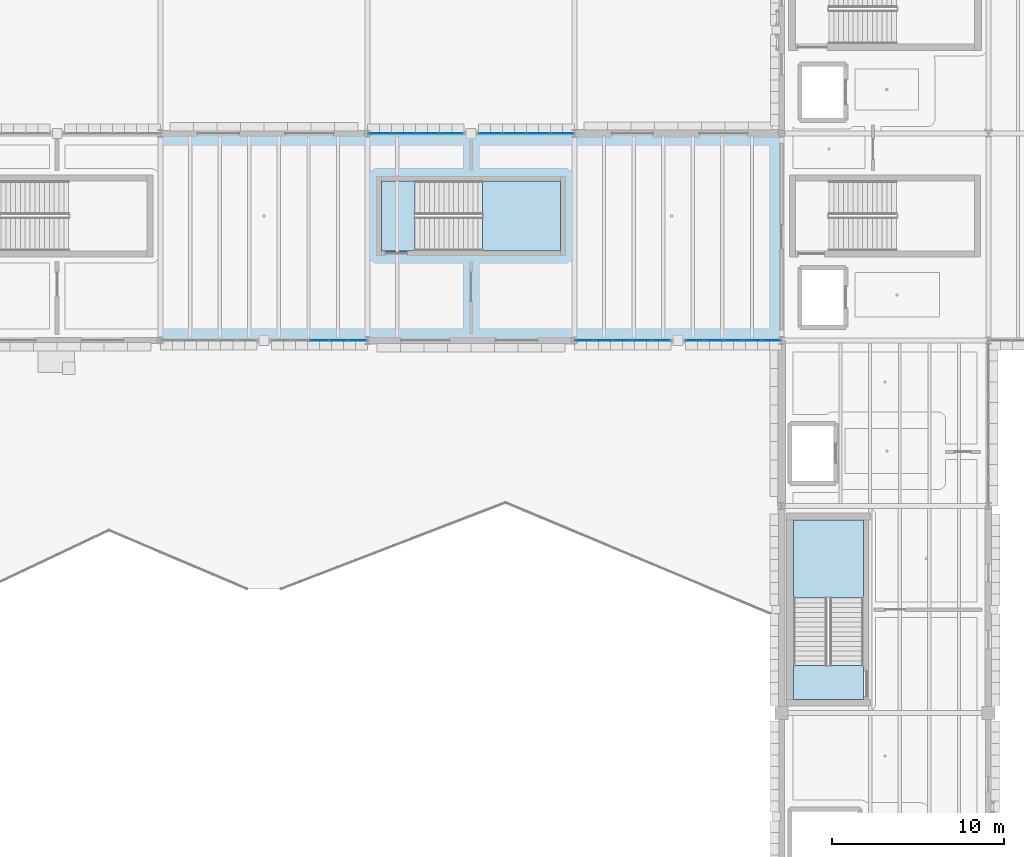
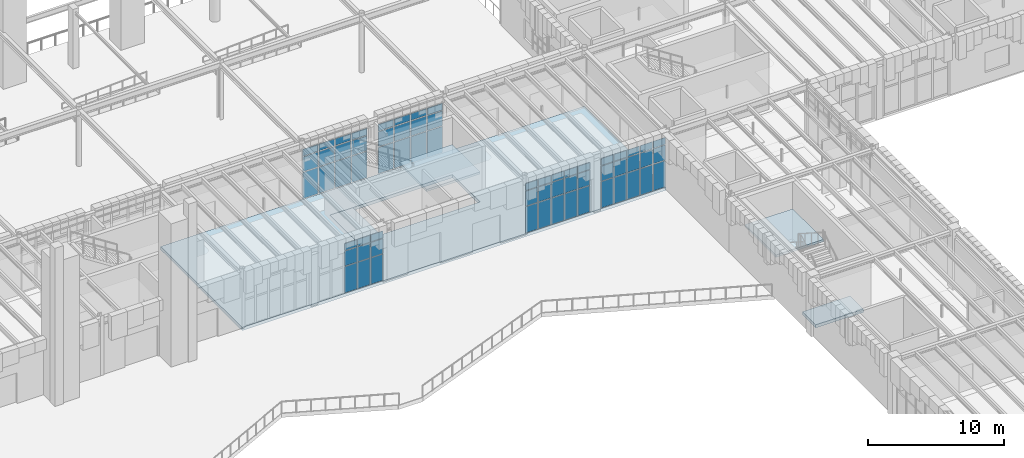
# One storey, part 46 of 103: 63 plates, 5 slabs, 7 elements without a shape of their own.
"""IFC4 building model written with IfcOpenShell, lengths in metres."""

from ifc_helpers import new_model, si_unit, direction, frame, origin, origin_2d, place, context, subcontext, project, spatial, polyline, rectangle, outline, extrude, material, layer, layer_set, type_object, element, aggregate, save


model = new_model("IFC4")

# Units and contexts
model_context = context("Model", 3, precision=1e-05, world=origin(), true_north=direction((0.0, 1.0)))
body_context = subcontext(model_context, "Body", "Model", "MODEL_VIEW")
ifc_project = project(units=[si_unit("LENGTHUNIT", "METRE"), si_unit("AREAUNIT", "SQUARE_METRE"), si_unit("VOLUMEUNIT", "CUBIC_METRE"), si_unit("PLANEANGLEUNIT", "RADIAN"), si_unit("MASSUNIT", "GRAM", prefix="KILO")], contexts=[model_context])

# Site, building, storey
site_placement = place(None, origin())
site = spatial("IfcSite", under=ifc_project, at=site_placement, CompositionType="ELEMENT")
building_placement = place(site_placement, origin())
building = spatial("IfcBuilding", under=site, at=building_placement, Name="Zlatogorsky Bluff Art Gallery", CompositionType="ELEMENT")
storey_placement = place(building_placement, origin())
storey = spatial("IfcBuildingStorey", under=building, at=storey_placement, Name="L00", CompositionType="ELEMENT", Elevation=0.0)

# Curtain wall, plates
ifc_material_1 = material(Name="Anodised Bronze Aluminium and Low-Iron Triple Glazing", Category="aluminium")
ifc_layer_1 = layer(ifc_material_1, 0.179931640625)
ifc_layer_set_1 = layer_set([ifc_layer_1], Name="Curtain Wall CW-03")
curtain_wall_type_1 = type_object("IfcCurtainWallType", Name="Curtain Wall CW-03", PredefinedType="USERDEFINED", material=ifc_layer_set_1)
curtain_wall_1_placement = place(storey_placement, origin())
curtain_wall_1 = element("IfcCurtainWall", 1, at=curtain_wall_1_placement, inside=storey, type_object=curtain_wall_type_1, Name="Unitised curtain wall CW-03 L00 S 7.8-B", ObjectType="CURTAIN WALL", PredefinedType="USERDEFINED")
ifc_material_2 = material(Name="Low-Iron Laminated Triple Glazing", Category="glass")
ifc_layer_2 = layer(ifc_material_2, 0.035888671875)
ifc_layer_set_2 = layer_set([ifc_layer_2], Name="Glazed Curtain Panel CWP-01")
plate_type = type_object("IfcPlateType", Name="Glazed Curtain Panel CWP-01", PredefinedType="CURTAIN_PANEL", material=ifc_layer_set_2)
plate_1_placement = place(storey_placement, frame((93.2099609375, 84.0, 0.06494140625), z_axis=(0.0, 0.0, 1.0), x_axis=(1.0, 0.0, 0.0)))
plate_1 = element("IfcPlate", 2, at=plate_1_placement, type_object=plate_type, Name="CW-03 panel 3.1", PredefinedType="CURTAIN_PANEL", context=body_context, shape_type="SweptSolid", body=[
    extrude(rectangle(XDim=1.051025390625, YDim=0.035888671875, at=origin_2d()), origin(), (0.0, 0.0, 1.0), 2.3525390625),
])
plate_2_placement = place(storey_placement, frame((93.2099609375, 84.0, 2.482421875), z_axis=(0.0, 0.0, 1.0), x_axis=(1.0, 0.0, 0.0)))
plate_2 = element("IfcPlate", 3, at=plate_2_placement, type_object=plate_type, Name="CW-03 panel 3.2", PredefinedType="CURTAIN_PANEL", context=body_context, shape_type="SweptSolid", body=[
    extrude(rectangle(XDim=1.051025390625, YDim=0.035888671875, at=origin_2d()), origin(), (0.0, 0.0, 1.0), 1.3349609375),
])
plate_3_placement = place(storey_placement, frame((93.2099609375, 84.0, 3.88232421875), z_axis=(0.0, 0.0, 1.0), x_axis=(1.0, 0.0, 0.0)))
plate_3 = element("IfcPlate", 4, at=plate_3_placement, type_object=plate_type, Name="CW-03 panel 3.3", PredefinedType="CURTAIN_PANEL", context=body_context, shape_type="SweptSolid", body=[
    extrude(rectangle(XDim=1.051025390625, YDim=0.035888671875, at=origin_2d()), origin(), (0.0, 0.0, 1.0), 0.612548828125),
])
plate_4_placement = place(storey_placement, frame((94.325927734375, 84.0, 0.06494140625), z_axis=(0.0, 0.0, 1.0), x_axis=(1.0, 0.0, 0.0)))
plate_4 = element("IfcPlate", 5, at=plate_4_placement, type_object=plate_type, Name="CW-03 panel 4.1", PredefinedType="CURTAIN_PANEL", context=body_context, shape_type="SweptSolid", body=[
    extrude(rectangle(XDim=1.051025390625, YDim=0.035888671875, at=origin_2d()), origin(), (0.0, 0.0, 1.0), 2.3525390625),
])
plate_5_placement = place(storey_placement, frame((94.325927734375, 84.0, 2.482421875), z_axis=(0.0, 0.0, 1.0), x_axis=(1.0, 0.0, 0.0)))
plate_5 = element("IfcPlate", 6, at=plate_5_placement, type_object=plate_type, Name="CW-03 panel 4.2", PredefinedType="CURTAIN_PANEL", context=body_context, shape_type="SweptSolid", body=[
    extrude(rectangle(XDim=1.051025390625, YDim=0.035888671875, at=origin_2d()), origin(), (0.0, 0.0, 1.0), 1.3349609375),
])
plate_6_placement = place(storey_placement, frame((94.325927734375, 84.0, 3.88232421875), z_axis=(0.0, 0.0, 1.0), x_axis=(1.0, 0.0, 0.0)))
plate_6 = element("IfcPlate", 7, at=plate_6_placement, type_object=plate_type, Name="CW-03 panel 4.3", PredefinedType="CURTAIN_PANEL", context=body_context, shape_type="SweptSolid", body=[
    extrude(rectangle(XDim=1.051025390625, YDim=0.035888671875, at=origin_2d()), origin(), (0.0, 0.0, 1.0), 0.612548828125),
])
plate_7_placement = place(storey_placement, frame((95.42578125, 84.0, 0.06494140625), z_axis=(0.0, 0.0, 1.0), x_axis=(1.0, 0.0, 0.0)))
plate_7 = element("IfcPlate", 8, at=plate_7_placement, type_object=plate_type, Name="CW-03 panel 5.1", PredefinedType="CURTAIN_PANEL", context=body_context, shape_type="SweptSolid", body=[
    extrude(rectangle(XDim=1.0185546875, YDim=0.035888671875, at=origin_2d()), origin(), (0.0, 0.0, 1.0), 2.3525390625),
])
plate_8_placement = place(storey_placement, frame((95.42578125, 84.0, 2.482421875), z_axis=(0.0, 0.0, 1.0), x_axis=(1.0, 0.0, 0.0)))
plate_8 = element("IfcPlate", 9, at=plate_8_placement, type_object=plate_type, Name="CW-03 panel 5.2", PredefinedType="CURTAIN_PANEL", context=body_context, shape_type="SweptSolid", body=[
    extrude(rectangle(XDim=1.0185546875, YDim=0.035888671875, at=origin_2d()), origin(), (0.0, 0.0, 1.0), 1.3349609375),
])
plate_9_placement = place(storey_placement, frame((95.42578125, 84.0, 3.88232421875), z_axis=(0.0, 0.0, 1.0), x_axis=(1.0, 0.0, 0.0)))
plate_9 = element("IfcPlate", 10, at=plate_9_placement, type_object=plate_type, Name="CW-03 panel 5.3", PredefinedType="CURTAIN_PANEL", context=body_context, shape_type="SweptSolid", body=[
    extrude(rectangle(XDim=1.0185546875, YDim=0.035888671875, at=origin_2d()), origin(), (0.0, 0.0, 1.0), 0.612548828125),
])
aggregate(curtain_wall_1, [plate_1, plate_2, plate_3, plate_4, plate_5, plate_6, plate_7, plate_8, plate_9])

ifc_layer_3 = layer(ifc_material_1, 0.179931640625)
ifc_layer_set_3 = layer_set([ifc_layer_3], Name="Curtain Wall CW-01")
curtain_wall_type_2 = type_object("IfcCurtainWallType", Name="Curtain Wall CW-01", PredefinedType="USERDEFINED", material=ifc_layer_set_3)
curtain_wall_2_placement = place(storey_placement, origin())
curtain_wall_2 = element("IfcCurtainWall", 11, at=curtain_wall_2_placement, inside=storey, type_object=curtain_wall_type_2, Name="Unitised curtain wall CW-01 L00 N 8.8-A", ObjectType="CURTAIN WALL", PredefinedType="USERDEFINED")
plate_10_placement = place(storey_placement, frame((107.2861328125, 96.0, 0.06494140625), z_axis=(0.0, 0.0, 1.0), x_axis=(-1.0, 0.0, 0.0)))
plate_10 = element("IfcPlate", 12, at=plate_10_placement, type_object=plate_type, Name="CW-01 panel 1.1", PredefinedType="CURTAIN_PANEL", context=body_context, shape_type="SweptSolid", body=[
    extrude(rectangle(XDim=1.297607421875, YDim=0.035888671875, at=origin_2d()), origin(), (0.0, 0.0, 1.0), 2.3525390625),
])
plate_11_placement = place(storey_placement, frame((107.2861328125, 96.0, 2.482421875), z_axis=(0.0, 0.0, 1.0), x_axis=(-1.0, 0.0, 0.0)))
plate_11 = element("IfcPlate", 13, at=plate_11_placement, type_object=plate_type, Name="CW-01 panel 1.2", PredefinedType="CURTAIN_PANEL", context=body_context, shape_type="SweptSolid", body=[
    extrude(rectangle(XDim=1.297607421875, YDim=0.035888671875, at=origin_2d()), origin(), (0.0, 0.0, 1.0), 1.3349609375),
])
plate_12_placement = place(storey_placement, frame((107.2861328125, 96.0, 3.88232421875), z_axis=(0.0, 0.0, 1.0), x_axis=(-1.0, 0.0, 0.0)))
plate_12 = element("IfcPlate", 14, at=plate_12_placement, type_object=plate_type, Name="CW-01 panel 1.3", PredefinedType="CURTAIN_PANEL", context=body_context, shape_type="SweptSolid", body=[
    extrude(rectangle(XDim=1.297607421875, YDim=0.035888671875, at=origin_2d()), origin(), (0.0, 0.0, 1.0), 0.612548828125),
])
plate_13_placement = place(storey_placement, frame((105.907470703125, 96.0, 0.06494140625), z_axis=(0.0, 0.0, 1.0), x_axis=(-1.0, 0.0, 0.0)))
plate_13 = element("IfcPlate", 15, at=plate_13_placement, type_object=plate_type, Name="CW-01 panel 2.1", PredefinedType="CURTAIN_PANEL", context=body_context, shape_type="SweptSolid", body=[
    extrude(rectangle(XDim=1.330078125, YDim=0.035888671875, at=origin_2d()), origin(), (0.0, 0.0, 1.0), 2.3525390625),
])
plate_14_placement = place(storey_placement, frame((105.907470703125, 96.0, 2.482421875), z_axis=(0.0, 0.0, 1.0), x_axis=(-1.0, 0.0, 0.0)))
plate_14 = element("IfcPlate", 16, at=plate_14_placement, type_object=plate_type, Name="CW-01 panel 2.2", PredefinedType="CURTAIN_PANEL", context=body_context, shape_type="SweptSolid", body=[
    extrude(rectangle(XDim=1.330078125, YDim=0.035888671875, at=origin_2d()), origin(), (0.0, 0.0, 1.0), 1.3349609375),
])
plate_15_placement = place(storey_placement, frame((105.907470703125, 96.0, 3.88232421875), z_axis=(0.0, 0.0, 1.0), x_axis=(-1.0, 0.0, 0.0)))
plate_15 = element("IfcPlate", 17, at=plate_15_placement, type_object=plate_type, Name="CW-01 panel 2.3", PredefinedType="CURTAIN_PANEL", context=body_context, shape_type="SweptSolid", body=[
    extrude(rectangle(XDim=1.330078125, YDim=0.035888671875, at=origin_2d()), origin(), (0.0, 0.0, 1.0), 0.612548828125),
])
plate_16_placement = place(storey_placement, frame((104.512451171875, 96.0, 0.06494140625), z_axis=(0.0, 0.0, 1.0), x_axis=(-1.0, 0.0, 0.0)))
plate_16 = element("IfcPlate", 18, at=plate_16_placement, type_object=plate_type, Name="CW-01 panel 3.1", PredefinedType="CURTAIN_PANEL", context=body_context, shape_type="SweptSolid", body=[
    extrude(rectangle(XDim=1.330078125, YDim=0.035888671875, at=origin_2d()), origin(), (0.0, 0.0, 1.0), 2.3525390625),
])
plate_17_placement = place(storey_placement, frame((104.512451171875, 96.0, 2.482421875), z_axis=(0.0, 0.0, 1.0), x_axis=(-1.0, 0.0, 0.0)))
plate_17 = element("IfcPlate", 19, at=plate_17_placement, type_object=plate_type, Name="CW-01 panel 3.2", PredefinedType="CURTAIN_PANEL", context=body_context, shape_type="SweptSolid", body=[
    extrude(rectangle(XDim=1.330078125, YDim=0.035888671875, at=origin_2d()), origin(), (0.0, 0.0, 1.0), 1.3349609375),
])
plate_18_placement = place(storey_placement, frame((104.512451171875, 96.0, 3.88232421875), z_axis=(0.0, 0.0, 1.0), x_axis=(-1.0, 0.0, 0.0)))
plate_18 = element("IfcPlate", 20, at=plate_18_placement, type_object=plate_type, Name="CW-01 panel 3.3", PredefinedType="CURTAIN_PANEL", context=body_context, shape_type="SweptSolid", body=[
    extrude(rectangle(XDim=1.330078125, YDim=0.035888671875, at=origin_2d()), origin(), (0.0, 0.0, 1.0), 0.612548828125),
])
plate_19_placement = place(storey_placement, frame((103.1337890625, 96.0, 0.06494140625), z_axis=(0.0, 0.0, 1.0), x_axis=(-1.0, 0.0, 0.0)))
plate_19 = element("IfcPlate", 21, at=plate_19_placement, type_object=plate_type, Name="CW-01 panel 4.1", PredefinedType="CURTAIN_PANEL", context=body_context, shape_type="SweptSolid", body=[
    extrude(rectangle(XDim=1.297607421875, YDim=0.035888671875, at=origin_2d()), origin(), (0.0, 0.0, 1.0), 2.3525390625),
])
plate_20_placement = place(storey_placement, frame((103.1337890625, 96.0, 2.482421875), z_axis=(0.0, 0.0, 1.0), x_axis=(-1.0, 0.0, 0.0)))
plate_20 = element("IfcPlate", 22, at=plate_20_placement, type_object=plate_type, Name="CW-01 panel 4.2", PredefinedType="CURTAIN_PANEL", context=body_context, shape_type="SweptSolid", body=[
    extrude(rectangle(XDim=1.297607421875, YDim=0.035888671875, at=origin_2d()), origin(), (0.0, 0.0, 1.0), 1.3349609375),
])
plate_21_placement = place(storey_placement, frame((103.1337890625, 96.0, 3.88232421875), z_axis=(0.0, 0.0, 1.0), x_axis=(-1.0, 0.0, 0.0)))
plate_21 = element("IfcPlate", 23, at=plate_21_placement, type_object=plate_type, Name="CW-01 panel 4.3", PredefinedType="CURTAIN_PANEL", context=body_context, shape_type="SweptSolid", body=[
    extrude(rectangle(XDim=1.297607421875, YDim=0.035888671875, at=origin_2d()), origin(), (0.0, 0.0, 1.0), 0.612548828125),
])
aggregate(curtain_wall_2, [plate_10, plate_11, plate_12, plate_13, plate_14, plate_15, plate_16, plate_17, plate_18, plate_19, plate_20, plate_21])

curtain_wall_3_placement = place(storey_placement, origin())
curtain_wall_3 = element("IfcCurtainWall", 24, at=curtain_wall_3_placement, inside=storey, type_object=curtain_wall_type_2, Name="Unitised curtain wall CW-01 L00 N 8.8-B", ObjectType="CURTAIN WALL", PredefinedType="USERDEFINED")
plate_22_placement = place(storey_placement, frame((100.8662109375, 96.0, 0.06494140625), z_axis=(0.0, 0.0, 1.0), x_axis=(-1.0, 0.0, 0.0)))
plate_22 = element("IfcPlate", 25, at=plate_22_placement, type_object=plate_type, Name="CW-01 panel 1.1", PredefinedType="CURTAIN_PANEL", context=body_context, shape_type="SweptSolid", body=[
    extrude(rectangle(XDim=1.297607421875, YDim=0.035888671875, at=origin_2d()), origin(), (0.0, 0.0, 1.0), 2.3525390625),
])
plate_23_placement = place(storey_placement, frame((100.8662109375, 96.0, 2.482421875), z_axis=(0.0, 0.0, 1.0), x_axis=(-1.0, 0.0, 0.0)))
plate_23 = element("IfcPlate", 26, at=plate_23_placement, type_object=plate_type, Name="CW-01 panel 1.2", PredefinedType="CURTAIN_PANEL", context=body_context, shape_type="SweptSolid", body=[
    extrude(rectangle(XDim=1.297607421875, YDim=0.035888671875, at=origin_2d()), origin(), (0.0, 0.0, 1.0), 1.3349609375),
])
plate_24_placement = place(storey_placement, frame((100.8662109375, 96.0, 3.88232421875), z_axis=(0.0, 0.0, 1.0), x_axis=(-1.0, 0.0, 0.0)))
plate_24 = element("IfcPlate", 27, at=plate_24_placement, type_object=plate_type, Name="CW-01 panel 1.3", PredefinedType="CURTAIN_PANEL", context=body_context, shape_type="SweptSolid", body=[
    extrude(rectangle(XDim=1.297607421875, YDim=0.035888671875, at=origin_2d()), origin(), (0.0, 0.0, 1.0), 0.612548828125),
])
plate_25_placement = place(storey_placement, frame((99.487548828125, 96.0, 0.06494140625), z_axis=(0.0, 0.0, 1.0), x_axis=(-1.0, 0.0, 0.0)))
plate_25 = element("IfcPlate", 28, at=plate_25_placement, type_object=plate_type, Name="CW-01 panel 2.1", PredefinedType="CURTAIN_PANEL", context=body_context, shape_type="SweptSolid", body=[
    extrude(rectangle(XDim=1.330078125, YDim=0.035888671875, at=origin_2d()), origin(), (0.0, 0.0, 1.0), 2.3525390625),
])
plate_26_placement = place(storey_placement, frame((99.487548828125, 96.0, 2.482421875), z_axis=(0.0, 0.0, 1.0), x_axis=(-1.0, 0.0, 0.0)))
plate_26 = element("IfcPlate", 29, at=plate_26_placement, type_object=plate_type, Name="CW-01 panel 2.2", PredefinedType="CURTAIN_PANEL", context=body_context, shape_type="SweptSolid", body=[
    extrude(rectangle(XDim=1.330078125, YDim=0.035888671875, at=origin_2d()), origin(), (0.0, 0.0, 1.0), 1.3349609375),
])
plate_27_placement = place(storey_placement, frame((99.487548828125, 96.0, 3.88232421875), z_axis=(0.0, 0.0, 1.0), x_axis=(-1.0, 0.0, 0.0)))
plate_27 = element("IfcPlate", 30, at=plate_27_placement, type_object=plate_type, Name="CW-01 panel 2.3", PredefinedType="CURTAIN_PANEL", context=body_context, shape_type="SweptSolid", body=[
    extrude(rectangle(XDim=1.330078125, YDim=0.035888671875, at=origin_2d()), origin(), (0.0, 0.0, 1.0), 0.612548828125),
])
plate_28_placement = place(storey_placement, frame((98.092529296875, 96.0, 0.06494140625), z_axis=(0.0, 0.0, 1.0), x_axis=(-1.0, 0.0, 0.0)))
plate_28 = element("IfcPlate", 31, at=plate_28_placement, type_object=plate_type, Name="CW-01 panel 3.1", PredefinedType="CURTAIN_PANEL", context=body_context, shape_type="SweptSolid", body=[
    extrude(rectangle(XDim=1.330078125, YDim=0.035888671875, at=origin_2d()), origin(), (0.0, 0.0, 1.0), 2.3525390625),
])
plate_29_placement = place(storey_placement, frame((98.092529296875, 96.0, 2.482421875), z_axis=(0.0, 0.0, 1.0), x_axis=(-1.0, 0.0, 0.0)))
plate_29 = element("IfcPlate", 32, at=plate_29_placement, type_object=plate_type, Name="CW-01 panel 3.2", PredefinedType="CURTAIN_PANEL", context=body_context, shape_type="SweptSolid", body=[
    extrude(rectangle(XDim=1.330078125, YDim=0.035888671875, at=origin_2d()), origin(), (0.0, 0.0, 1.0), 1.3349609375),
])
plate_30_placement = place(storey_placement, frame((98.092529296875, 96.0, 3.88232421875), z_axis=(0.0, 0.0, 1.0), x_axis=(-1.0, 0.0, 0.0)))
plate_30 = element("IfcPlate", 33, at=plate_30_placement, type_object=plate_type, Name="CW-01 panel 3.3", PredefinedType="CURTAIN_PANEL", context=body_context, shape_type="SweptSolid", body=[
    extrude(rectangle(XDim=1.330078125, YDim=0.035888671875, at=origin_2d()), origin(), (0.0, 0.0, 1.0), 0.612548828125),
])
plate_31_placement = place(storey_placement, frame((96.7138671875, 96.0, 0.06494140625), z_axis=(0.0, 0.0, 1.0), x_axis=(-1.0, 0.0, 0.0)))
plate_31 = element("IfcPlate", 34, at=plate_31_placement, type_object=plate_type, Name="CW-01 panel 4.1", PredefinedType="CURTAIN_PANEL", context=body_context, shape_type="SweptSolid", body=[
    extrude(rectangle(XDim=1.297607421875, YDim=0.035888671875, at=origin_2d()), origin(), (0.0, 0.0, 1.0), 2.3525390625),
])
plate_32_placement = place(storey_placement, frame((96.7138671875, 96.0, 2.482421875), z_axis=(0.0, 0.0, 1.0), x_axis=(-1.0, 0.0, 0.0)))
plate_32 = element("IfcPlate", 35, at=plate_32_placement, type_object=plate_type, Name="CW-01 panel 4.2", PredefinedType="CURTAIN_PANEL", context=body_context, shape_type="SweptSolid", body=[
    extrude(rectangle(XDim=1.297607421875, YDim=0.035888671875, at=origin_2d()), origin(), (0.0, 0.0, 1.0), 1.3349609375),
])
plate_33_placement = place(storey_placement, frame((96.7138671875, 96.0, 3.88232421875), z_axis=(0.0, 0.0, 1.0), x_axis=(-1.0, 0.0, 0.0)))
plate_33 = element("IfcPlate", 36, at=plate_33_placement, type_object=plate_type, Name="CW-01 panel 4.3", PredefinedType="CURTAIN_PANEL", context=body_context, shape_type="SweptSolid", body=[
    extrude(rectangle(XDim=1.297607421875, YDim=0.035888671875, at=origin_2d()), origin(), (0.0, 0.0, 1.0), 0.612548828125),
])
aggregate(curtain_wall_3, [plate_22, plate_23, plate_24, plate_25, plate_26, plate_27, plate_28, plate_29, plate_30, plate_31, plate_32, plate_33])

curtain_wall_4_placement = place(storey_placement, origin())
curtain_wall_4 = element("IfcCurtainWall", 37, at=curtain_wall_4_placement, inside=storey, type_object=curtain_wall_type_1, Name="Unitised curtain wall CW-03 L00 S 9.8-A", ObjectType="CURTAIN WALL", PredefinedType="USERDEFINED")
plate_34_placement = place(storey_placement, frame((108.57421875, 84.0, 0.06494140625), z_axis=(0.0, 0.0, 1.0), x_axis=(1.0, 0.0, 0.0)))
plate_34 = element("IfcPlate", 38, at=plate_34_placement, type_object=plate_type, Name="CW-03 panel 1.1", PredefinedType="CURTAIN_PANEL", context=body_context, shape_type="SweptSolid", body=[
    extrude(rectangle(XDim=1.0185546875, YDim=0.035888671875, at=origin_2d()), origin(), (0.0, 0.0, 1.0), 2.3525390625),
])
plate_35_placement = place(storey_placement, frame((108.57421875, 84.0, 2.482421875), z_axis=(0.0, 0.0, 1.0), x_axis=(1.0, 0.0, 0.0)))
plate_35 = element("IfcPlate", 39, at=plate_35_placement, type_object=plate_type, Name="CW-03 panel 1.2", PredefinedType="CURTAIN_PANEL", context=body_context, shape_type="SweptSolid", body=[
    extrude(rectangle(XDim=1.0185546875, YDim=0.035888671875, at=origin_2d()), origin(), (0.0, 0.0, 1.0), 1.3349609375),
])
plate_36_placement = place(storey_placement, frame((108.57421875, 84.0, 3.88232421875), z_axis=(0.0, 0.0, 1.0), x_axis=(1.0, 0.0, 0.0)))
plate_36 = element("IfcPlate", 40, at=plate_36_placement, type_object=plate_type, Name="CW-03 panel 1.3", PredefinedType="CURTAIN_PANEL", context=body_context, shape_type="SweptSolid", body=[
    extrude(rectangle(XDim=1.0185546875, YDim=0.035888671875, at=origin_2d()), origin(), (0.0, 0.0, 1.0), 0.612548828125),
])
plate_37_placement = place(storey_placement, frame((109.674072265625, 84.0, 0.06494140625), z_axis=(0.0, 0.0, 1.0), x_axis=(1.0, 0.0, 0.0)))
plate_37 = element("IfcPlate", 41, at=plate_37_placement, type_object=plate_type, Name="CW-03 panel 2.1", PredefinedType="CURTAIN_PANEL", context=body_context, shape_type="SweptSolid", body=[
    extrude(rectangle(XDim=1.051025390625, YDim=0.035888671875, at=origin_2d()), origin(), (0.0, 0.0, 1.0), 2.3525390625),
])
plate_38_placement = place(storey_placement, frame((109.674072265625, 84.0, 2.482421875), z_axis=(0.0, 0.0, 1.0), x_axis=(1.0, 0.0, 0.0)))
plate_38 = element("IfcPlate", 42, at=plate_38_placement, type_object=plate_type, Name="CW-03 panel 2.2", PredefinedType="CURTAIN_PANEL", context=body_context, shape_type="SweptSolid", body=[
    extrude(rectangle(XDim=1.051025390625, YDim=0.035888671875, at=origin_2d()), origin(), (0.0, 0.0, 1.0), 1.3349609375),
])
plate_39_placement = place(storey_placement, frame((109.674072265625, 84.0, 3.88232421875), z_axis=(0.0, 0.0, 1.0), x_axis=(1.0, 0.0, 0.0)))
plate_39 = element("IfcPlate", 43, at=plate_39_placement, type_object=plate_type, Name="CW-03 panel 2.3", PredefinedType="CURTAIN_PANEL", context=body_context, shape_type="SweptSolid", body=[
    extrude(rectangle(XDim=1.051025390625, YDim=0.035888671875, at=origin_2d()), origin(), (0.0, 0.0, 1.0), 0.612548828125),
])
plate_40_placement = place(storey_placement, frame((110.7900390625, 84.0, 0.06494140625), z_axis=(0.0, 0.0, 1.0), x_axis=(1.0, 0.0, 0.0)))
plate_40 = element("IfcPlate", 44, at=plate_40_placement, type_object=plate_type, Name="CW-03 panel 3.1", PredefinedType="CURTAIN_PANEL", context=body_context, shape_type="SweptSolid", body=[
    extrude(rectangle(XDim=1.051025390625, YDim=0.035888671875, at=origin_2d()), origin(), (0.0, 0.0, 1.0), 2.3525390625),
])
plate_41_placement = place(storey_placement, frame((110.7900390625, 84.0, 2.482421875), z_axis=(0.0, 0.0, 1.0), x_axis=(1.0, 0.0, 0.0)))
plate_41 = element("IfcPlate", 45, at=plate_41_placement, type_object=plate_type, Name="CW-03 panel 3.2", PredefinedType="CURTAIN_PANEL", context=body_context, shape_type="SweptSolid", body=[
    extrude(rectangle(XDim=1.051025390625, YDim=0.035888671875, at=origin_2d()), origin(), (0.0, 0.0, 1.0), 1.3349609375),
])
plate_42_placement = place(storey_placement, frame((110.7900390625, 84.0, 3.88232421875), z_axis=(0.0, 0.0, 1.0), x_axis=(1.0, 0.0, 0.0)))
plate_42 = element("IfcPlate", 46, at=plate_42_placement, type_object=plate_type, Name="CW-03 panel 3.3", PredefinedType="CURTAIN_PANEL", context=body_context, shape_type="SweptSolid", body=[
    extrude(rectangle(XDim=1.051025390625, YDim=0.035888671875, at=origin_2d()), origin(), (0.0, 0.0, 1.0), 0.612548828125),
])
plate_43_placement = place(storey_placement, frame((111.906005859375, 84.0, 0.06494140625), z_axis=(0.0, 0.0, 1.0), x_axis=(1.0, 0.0, 0.0)))
plate_43 = element("IfcPlate", 47, at=plate_43_placement, type_object=plate_type, Name="CW-03 panel 4.1", PredefinedType="CURTAIN_PANEL", context=body_context, shape_type="SweptSolid", body=[
    extrude(rectangle(XDim=1.051025390625, YDim=0.035888671875, at=origin_2d()), origin(), (0.0, 0.0, 1.0), 2.3525390625),
])
plate_44_placement = place(storey_placement, frame((111.906005859375, 84.0, 2.482421875), z_axis=(0.0, 0.0, 1.0), x_axis=(1.0, 0.0, 0.0)))
plate_44 = element("IfcPlate", 48, at=plate_44_placement, type_object=plate_type, Name="CW-03 panel 4.2", PredefinedType="CURTAIN_PANEL", context=body_context, shape_type="SweptSolid", body=[
    extrude(rectangle(XDim=1.051025390625, YDim=0.035888671875, at=origin_2d()), origin(), (0.0, 0.0, 1.0), 1.3349609375),
])
plate_45_placement = place(storey_placement, frame((111.906005859375, 84.0, 3.88232421875), z_axis=(0.0, 0.0, 1.0), x_axis=(1.0, 0.0, 0.0)))
plate_45 = element("IfcPlate", 49, at=plate_45_placement, type_object=plate_type, Name="CW-03 panel 4.3", PredefinedType="CURTAIN_PANEL", context=body_context, shape_type="SweptSolid", body=[
    extrude(rectangle(XDim=1.051025390625, YDim=0.035888671875, at=origin_2d()), origin(), (0.0, 0.0, 1.0), 0.612548828125),
])
plate_46_placement = place(storey_placement, frame((113.005859375, 84.0, 0.06494140625), z_axis=(0.0, 0.0, 1.0), x_axis=(1.0, 0.0, 0.0)))
plate_46 = element("IfcPlate", 50, at=plate_46_placement, type_object=plate_type, Name="CW-03 panel 5.1", PredefinedType="CURTAIN_PANEL", context=body_context, shape_type="SweptSolid", body=[
    extrude(rectangle(XDim=1.0185546875, YDim=0.035888671875, at=origin_2d()), origin(), (0.0, 0.0, 1.0), 2.3525390625),
])
plate_47_placement = place(storey_placement, frame((113.005859375, 84.0, 2.482421875), z_axis=(0.0, 0.0, 1.0), x_axis=(1.0, 0.0, 0.0)))
plate_47 = element("IfcPlate", 51, at=plate_47_placement, type_object=plate_type, Name="CW-03 panel 5.2", PredefinedType="CURTAIN_PANEL", context=body_context, shape_type="SweptSolid", body=[
    extrude(rectangle(XDim=1.0185546875, YDim=0.035888671875, at=origin_2d()), origin(), (0.0, 0.0, 1.0), 1.3349609375),
])
plate_48_placement = place(storey_placement, frame((113.005859375, 84.0, 3.88232421875), z_axis=(0.0, 0.0, 1.0), x_axis=(1.0, 0.0, 0.0)))
plate_48 = element("IfcPlate", 52, at=plate_48_placement, type_object=plate_type, Name="CW-03 panel 5.3", PredefinedType="CURTAIN_PANEL", context=body_context, shape_type="SweptSolid", body=[
    extrude(rectangle(XDim=1.0185546875, YDim=0.035888671875, at=origin_2d()), origin(), (0.0, 0.0, 1.0), 0.612548828125),
])
aggregate(curtain_wall_4, [plate_34, plate_35, plate_36, plate_37, plate_38, plate_39, plate_40, plate_41, plate_42, plate_43, plate_44, plate_45, plate_46, plate_47, plate_48])

curtain_wall_5_placement = place(storey_placement, origin())
curtain_wall_5 = element("IfcCurtainWall", 53, at=curtain_wall_5_placement, inside=storey, type_object=curtain_wall_type_1, Name="Unitised curtain wall CW-03 L00 S 9.8-B", ObjectType="CURTAIN WALL", PredefinedType="USERDEFINED")
plate_49_placement = place(storey_placement, frame((114.994140625, 84.0, 0.06494140625), z_axis=(0.0, 0.0, 1.0), x_axis=(1.0, 0.0, 0.0)))
plate_49 = element("IfcPlate", 54, at=plate_49_placement, type_object=plate_type, Name="CW-03 panel 1.1", PredefinedType="CURTAIN_PANEL", context=body_context, shape_type="SweptSolid", body=[
    extrude(rectangle(XDim=1.0185546875, YDim=0.035888671875, at=origin_2d()), origin(), (0.0, 0.0, 1.0), 2.3525390625),
])
plate_50_placement = place(storey_placement, frame((114.994140625, 84.0, 2.482421875), z_axis=(0.0, 0.0, 1.0), x_axis=(1.0, 0.0, 0.0)))
plate_50 = element("IfcPlate", 55, at=plate_50_placement, type_object=plate_type, Name="CW-03 panel 1.2", PredefinedType="CURTAIN_PANEL", context=body_context, shape_type="SweptSolid", body=[
    extrude(rectangle(XDim=1.0185546875, YDim=0.035888671875, at=origin_2d()), origin(), (0.0, 0.0, 1.0), 1.3349609375),
])
plate_51_placement = place(storey_placement, frame((114.994140625, 84.0, 3.88232421875), z_axis=(0.0, 0.0, 1.0), x_axis=(1.0, 0.0, 0.0)))
plate_51 = element("IfcPlate", 56, at=plate_51_placement, type_object=plate_type, Name="CW-03 panel 1.3", PredefinedType="CURTAIN_PANEL", context=body_context, shape_type="SweptSolid", body=[
    extrude(rectangle(XDim=1.0185546875, YDim=0.035888671875, at=origin_2d()), origin(), (0.0, 0.0, 1.0), 0.612548828125),
])
plate_52_placement = place(storey_placement, frame((116.093994140625, 84.0, 0.06494140625), z_axis=(0.0, 0.0, 1.0), x_axis=(1.0, 0.0, 0.0)))
plate_52 = element("IfcPlate", 57, at=plate_52_placement, type_object=plate_type, Name="CW-03 panel 2.1", PredefinedType="CURTAIN_PANEL", context=body_context, shape_type="SweptSolid", body=[
    extrude(rectangle(XDim=1.051025390625, YDim=0.035888671875, at=origin_2d()), origin(), (0.0, 0.0, 1.0), 2.3525390625),
])
plate_53_placement = place(storey_placement, frame((116.093994140625, 84.0, 2.482421875), z_axis=(0.0, 0.0, 1.0), x_axis=(1.0, 0.0, 0.0)))
plate_53 = element("IfcPlate", 58, at=plate_53_placement, type_object=plate_type, Name="CW-03 panel 2.2", PredefinedType="CURTAIN_PANEL", context=body_context, shape_type="SweptSolid", body=[
    extrude(rectangle(XDim=1.051025390625, YDim=0.035888671875, at=origin_2d()), origin(), (0.0, 0.0, 1.0), 1.3349609375),
])
plate_54_placement = place(storey_placement, frame((116.093994140625, 84.0, 3.88232421875), z_axis=(0.0, 0.0, 1.0), x_axis=(1.0, 0.0, 0.0)))
plate_54 = element("IfcPlate", 59, at=plate_54_placement, type_object=plate_type, Name="CW-03 panel 2.3", PredefinedType="CURTAIN_PANEL", context=body_context, shape_type="SweptSolid", body=[
    extrude(rectangle(XDim=1.051025390625, YDim=0.035888671875, at=origin_2d()), origin(), (0.0, 0.0, 1.0), 0.612548828125),
])
plate_55_placement = place(storey_placement, frame((117.2099609375, 84.0, 0.06494140625), z_axis=(0.0, 0.0, 1.0), x_axis=(1.0, 0.0, 0.0)))
plate_55 = element("IfcPlate", 60, at=plate_55_placement, type_object=plate_type, Name="CW-03 panel 3.1", PredefinedType="CURTAIN_PANEL", context=body_context, shape_type="SweptSolid", body=[
    extrude(rectangle(XDim=1.051025390625, YDim=0.035888671875, at=origin_2d()), origin(), (0.0, 0.0, 1.0), 2.3525390625),
])
plate_56_placement = place(storey_placement, frame((117.2099609375, 84.0, 2.482421875), z_axis=(0.0, 0.0, 1.0), x_axis=(1.0, 0.0, 0.0)))
plate_56 = element("IfcPlate", 61, at=plate_56_placement, type_object=plate_type, Name="CW-03 panel 3.2", PredefinedType="CURTAIN_PANEL", context=body_context, shape_type="SweptSolid", body=[
    extrude(rectangle(XDim=1.051025390625, YDim=0.035888671875, at=origin_2d()), origin(), (0.0, 0.0, 1.0), 1.3349609375),
])
plate_57_placement = place(storey_placement, frame((117.2099609375, 84.0, 3.88232421875), z_axis=(0.0, 0.0, 1.0), x_axis=(1.0, 0.0, 0.0)))
plate_57 = element("IfcPlate", 62, at=plate_57_placement, type_object=plate_type, Name="CW-03 panel 3.3", PredefinedType="CURTAIN_PANEL", context=body_context, shape_type="SweptSolid", body=[
    extrude(rectangle(XDim=1.051025390625, YDim=0.035888671875, at=origin_2d()), origin(), (0.0, 0.0, 1.0), 0.612548828125),
])
plate_58_placement = place(storey_placement, frame((118.325927734375, 84.0, 0.06494140625), z_axis=(0.0, 0.0, 1.0), x_axis=(1.0, 0.0, 0.0)))
plate_58 = element("IfcPlate", 63, at=plate_58_placement, type_object=plate_type, Name="CW-03 panel 4.1", PredefinedType="CURTAIN_PANEL", context=body_context, shape_type="SweptSolid", body=[
    extrude(rectangle(XDim=1.051025390625, YDim=0.035888671875, at=origin_2d()), origin(), (0.0, 0.0, 1.0), 2.3525390625),
])
plate_59_placement = place(storey_placement, frame((118.325927734375, 84.0, 2.482421875), z_axis=(0.0, 0.0, 1.0), x_axis=(1.0, 0.0, 0.0)))
plate_59 = element("IfcPlate", 64, at=plate_59_placement, type_object=plate_type, Name="CW-03 panel 4.2", PredefinedType="CURTAIN_PANEL", context=body_context, shape_type="SweptSolid", body=[
    extrude(rectangle(XDim=1.051025390625, YDim=0.035888671875, at=origin_2d()), origin(), (0.0, 0.0, 1.0), 1.3349609375),
])
plate_60_placement = place(storey_placement, frame((118.325927734375, 84.0, 3.88232421875), z_axis=(0.0, 0.0, 1.0), x_axis=(1.0, 0.0, 0.0)))
plate_60 = element("IfcPlate", 65, at=plate_60_placement, type_object=plate_type, Name="CW-03 panel 4.3", PredefinedType="CURTAIN_PANEL", context=body_context, shape_type="SweptSolid", body=[
    extrude(rectangle(XDim=1.051025390625, YDim=0.035888671875, at=origin_2d()), origin(), (0.0, 0.0, 1.0), 0.612548828125),
])
plate_61_placement = place(storey_placement, frame((119.42578125, 84.0, 0.06494140625), z_axis=(0.0, 0.0, 1.0), x_axis=(1.0, 0.0, 0.0)))
plate_61 = element("IfcPlate", 66, at=plate_61_placement, type_object=plate_type, Name="CW-03 panel 5.1", PredefinedType="CURTAIN_PANEL", context=body_context, shape_type="SweptSolid", body=[
    extrude(rectangle(XDim=1.0185546875, YDim=0.035888671875, at=origin_2d()), origin(), (0.0, 0.0, 1.0), 2.3525390625),
])
plate_62_placement = place(storey_placement, frame((119.42578125, 84.0, 2.482421875), z_axis=(0.0, 0.0, 1.0), x_axis=(1.0, 0.0, 0.0)))
plate_62 = element("IfcPlate", 67, at=plate_62_placement, type_object=plate_type, Name="CW-03 panel 5.2", PredefinedType="CURTAIN_PANEL", context=body_context, shape_type="SweptSolid", body=[
    extrude(rectangle(XDim=1.0185546875, YDim=0.035888671875, at=origin_2d()), origin(), (0.0, 0.0, 1.0), 1.3349609375),
])
plate_63_placement = place(storey_placement, frame((119.42578125, 84.0, 3.88232421875), z_axis=(0.0, 0.0, 1.0), x_axis=(1.0, 0.0, 0.0)))
plate_63 = element("IfcPlate", 68, at=plate_63_placement, type_object=plate_type, Name="CW-03 panel 5.3", PredefinedType="CURTAIN_PANEL", context=body_context, shape_type="SweptSolid", body=[
    extrude(rectangle(XDim=1.0185546875, YDim=0.035888671875, at=origin_2d()), origin(), (0.0, 0.0, 1.0), 0.612548828125),
])
aggregate(curtain_wall_5, [plate_49, plate_50, plate_51, plate_52, plate_53, plate_54, plate_55, plate_56, plate_57, plate_58, plate_59, plate_60, plate_61, plate_62, plate_63])

# Slabs
ifc_material_3 = material(Name="Concrete C30/37", Category="concrete")
ifc_layer_4 = layer(ifc_material_3, 0.280029296875)
ifc_layer_set_4 = layer_set([ifc_layer_4], Name="Slab SL-00 280mm")
slab_type_1 = type_object("IfcSlabType", Name="Slab SL-00 280mm", PredefinedType="FLOOR", material=ifc_layer_set_4)
slab_1_placement = place(storey_placement, frame((0.0, 0.0, -0.280029296875)))
element("IfcSlab", 69, at=slab_1_placement, inside=storey, type_object=slab_type_1, Name="L00 structural floor slab panel 13", PredefinedType="FLOOR", context=body_context, shape_type="SweptSolid", body=[
    extrude(outline(polyline([(84.0, 96.0), (96.0, 96.0), (108.0, 96.0), (120.0, 96.0), (120.0, 84.0), (108.0, 84.0), (96.0, 84.0), (84.0, 84.0), (84.0, 96.0)]), holes=[polyline([(107.199951171875, 89.199951171875), (107.199951171875, 93.25), (96.800048828125, 93.25), (96.800048828125, 89.199951171875), (107.199951171875, 89.199951171875)])]), origin(), (0.0, 0.0, 1.0), 0.280029296875),
])
slab_2_placement = place(storey_placement, frame((0.0, 0.0, -0.280029296875)))
element("IfcSlab", 70, at=slab_2_placement, inside=storey, type_object=slab_type_1, Name="L00 stair ST-01 structural floor landing slab", PredefinedType="FLOOR", context=body_context, shape_type="SweptSolid", body=[
    extrude(outline(polyline([(96.800048828125, 89.199951171875), (98.75, 89.199951171875), (98.75, 93.25), (96.800048828125, 93.25), (96.800048828125, 89.199951171875)])), origin(), (0.0, 0.0, 1.0), 0.280029296875),
])
slab_3_placement = place(storey_placement, frame((0.0, 0.0, -0.280029296875)))
element("IfcSlab", 71, at=slab_3_placement, inside=storey, type_object=slab_type_1, Name="L00 stair ST-06 structural floor landing slab", PredefinedType="FLOOR", context=body_context, shape_type="SweptSolid", body=[
    extrude(outline(polyline([(124.75, 63.199951171875), (124.75, 65.14990234375), (120.699951171875, 65.14990234375), (120.699951171875, 63.199951171875), (124.75, 63.199951171875)])), origin(), (0.0, 0.0, 1.0), 0.280029296875),
])

# Stair, slab
stair_type = type_object("IfcStairType", Name="Protected Dogleg Stair ST-T3", PredefinedType="HALF_TURN_STAIR", material=ifc_material_3)
stair_1_placement = place(storey_placement, origin())
stair_1 = element("IfcStair", 72, at=stair_1_placement, inside=storey, type_object=stair_type, Name="L00 Protected Exit Stair ST-01", PredefinedType="HALF_TURN_STAIR")
ifc_layer_5 = layer(ifc_material_3, 0.199951171875)
ifc_layer_set_5 = layer_set([ifc_layer_5], Name="Stair Half-Landing 200mm")
slab_type_2 = type_object("IfcSlabType", Name="Stair Half-Landing 200mm", PredefinedType="LANDING", material=ifc_layer_set_5)
slab_4_placement = place(storey_placement, frame((0.0, 0.0, 2.5)))
slab_4 = element("IfcSlab", 73, at=slab_4_placement, type_object=slab_type_2, Name="ST-01 landing 1", PredefinedType="LANDING", context=body_context, shape_type="SweptSolid", body=[
    extrude(outline(polyline([(102.669921875, 89.199951171875), (107.199951171875, 89.199951171875), (107.199951171875, 93.25), (102.669921875, 93.25), (102.669921875, 89.199951171875)])), origin(), (0.0, 0.0, 1.0), 0.199951171875),
])
aggregate(stair_1, [slab_4])

stair_2_placement = place(storey_placement, origin())
stair_2 = element("IfcStair", 74, at=stair_2_placement, inside=storey, type_object=stair_type, Name="L00 Protected Exit Stair ST-06", PredefinedType="HALF_TURN_STAIR")
slab_5_placement = place(storey_placement, frame((0.0, 0.0, 2.5)))
slab_5 = element("IfcSlab", 75, at=slab_5_placement, type_object=slab_type_2, Name="ST-06 landing 1", PredefinedType="LANDING", context=body_context, shape_type="SweptSolid", body=[
    extrude(outline(polyline([(124.75, 69.070068359375), (124.75, 73.60009765625), (120.699951171875, 73.60009765625), (120.699951171875, 69.070068359375), (124.75, 69.070068359375)])), origin(), (0.0, 0.0, 1.0), 0.199951171875),
])
aggregate(stair_2, [slab_5])

save(model, "model.ifc")
